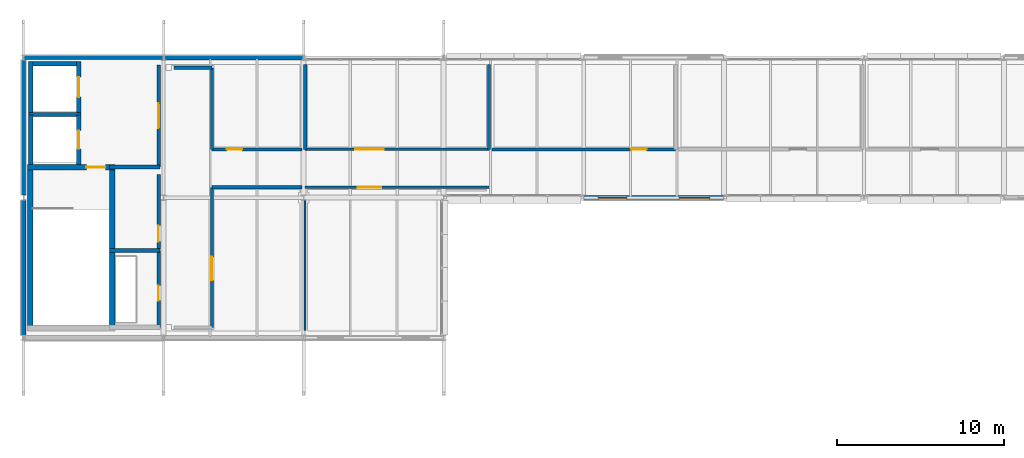
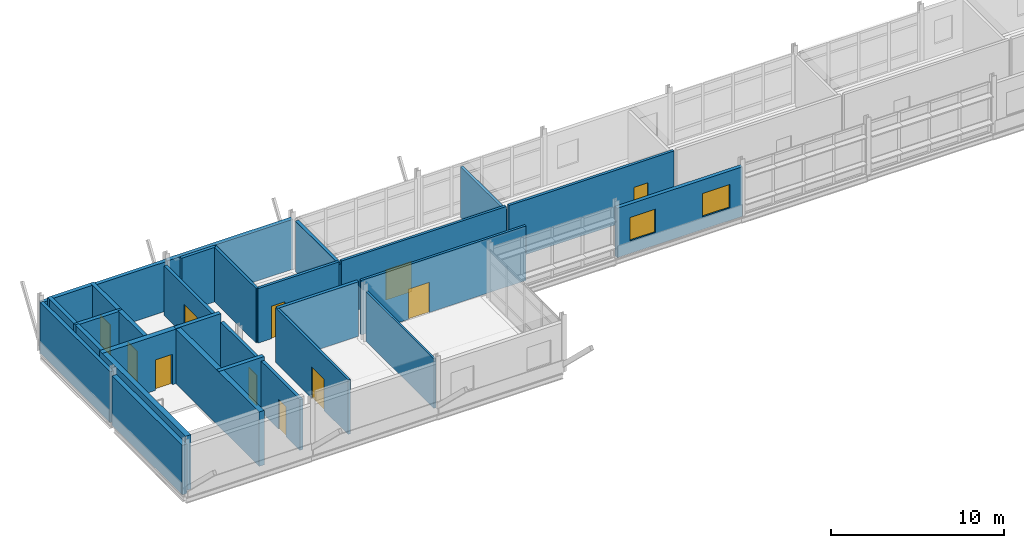
# One storey, part 47 of 57: 30 walls, 11 doors, 2 windows, 13 openings.
"""IFC4 building model written with IfcOpenShell, lengths in metres."""

import ifcopenshell
import ifcopenshell.guid

model = None  # the IFC model being written
_history = None  # IfcOwnerHistory: only IFC2X3 demands one
_inside = {}  # id of a spatial element -> (the spatial element, [elements in it])
_under = {}  # id of a project, library or spatial element -> (it, [spatial elements below it])
_declared = {}  # id of a project -> (the project, [libraries it declares])
_typed = {}  # id of a type object -> (the type object, [elements of that type])
_made_of = {}  # id of a material, layer set ... -> (it, [elements and type objects made of it])


def new_model(schema):
    """Start an empty IFC model of exactly this schema.

    Asked for "IFC4X3", IfcOpenShell would pick the latest addendum, in which some entities
    have other attributes; the version numbers below select the first issue.
    IFC2X3 requires an IfcOwnerHistory on every rooted entity: one is made here for all.
    """
    global model, _history
    if schema == "IFC4X3":
        model = ifcopenshell.file(schema_version=(4, 3, 0, 0))
    else:
        model = ifcopenshell.file(schema=schema)
    _inside.clear()
    _under.clear()
    _declared.clear()
    _typed.clear()
    _made_of.clear()
    _history = None
    if model.schema == "IFC2X3":
        org = make("IfcOrganization", Name="unknown")
        user = make(
            "IfcPersonAndOrganization",
            ThePerson=make("IfcPerson", FamilyName="unknown"),
            TheOrganization=org,
        )
        app = make(
            "IfcApplication",
            ApplicationDeveloper=org,
            Version="unknown",
            ApplicationFullName="unknown",
            ApplicationIdentifier="unknown",
        )
        _history = make(
            "IfcOwnerHistory",
            OwningUser=user,
            OwningApplication=app,
            ChangeAction="ADDED",
            CreationDate=0,
        )
    return model


def make(cls, **values):
    """One entity of the class cls with the attributes given. An attribute that is None is left unset."""
    return model.create_entity(
        cls, **{name: value for name, value in values.items() if value is not None}
    )


def rooted(cls, **values):
    """An entity with a GlobalId (a new one), such as an element, a storey or a relation."""
    return make(cls, GlobalId=ifcopenshell.guid.new(), OwnerHistory=_history, **values)


def si_unit(unit_type, name, prefix=None):
    """IfcSIUnit, for example si_unit("LENGTHUNIT", "METRE", prefix="MILLI")."""
    return make("IfcSIUnit", UnitType=unit_type, Prefix=prefix, Name=name)


def assignment(units):
    """IfcUnitAssignment: the units of a project."""
    return None if units is None else make("IfcUnitAssignment", Units=units)


def point(xyz):
    """IfcCartesianPoint."""
    return None if xyz is None else make("IfcCartesianPoint", Coordinates=xyz)


def direction(xyz):
    """IfcDirection."""
    return None if xyz is None else make("IfcDirection", DirectionRatios=xyz)


def frame(location, z_axis=None, x_axis=None):
    """IfcAxis2Placement3D, a coordinate frame: its origin and axes. An axis left out is left unset."""
    return make(
        "IfcAxis2Placement3D",
        Location=point(location),
        Axis=direction(z_axis),
        RefDirection=direction(x_axis),
    )


def frame_2d(location, x_axis=None):
    """IfcAxis2Placement2D, a coordinate frame in the plane: its origin and x axis."""
    return make(
        "IfcAxis2Placement2D", Location=point(location), RefDirection=direction(x_axis)
    )


def origin():
    """The frame at (0, 0, 0) with its axes left unset."""
    return frame((0.0, 0.0, 0.0))


def place(relative_to, where):
    """IfcLocalPlacement: puts the frame where relative to a parent placement (None: the world)."""
    return make(
        "IfcLocalPlacement", PlacementRelTo=relative_to, RelativePlacement=where
    )


def context(
    kind, dimensions, precision=None, world=None, true_north=None, identifier=None
):
    """IfcGeometricRepresentationContext, for example the 3D "Model" context."""
    return make(
        "IfcGeometricRepresentationContext",
        ContextIdentifier=identifier,
        ContextType=kind,
        CoordinateSpaceDimension=dimensions,
        Precision=precision,
        WorldCoordinateSystem=world,
        TrueNorth=true_north,
    )


def subcontext(parent, identifier, kind, view, scale=None):
    """IfcGeometricRepresentationSubContext, for example "Body" below "Model"."""
    return make(
        "IfcGeometricRepresentationSubContext",
        ContextIdentifier=identifier,
        ContextType=kind,
        ParentContext=parent,
        TargetScale=scale,
        TargetView=view,
    )


def project(units=None, contexts=None):
    """IfcProject with its units and contexts."""
    return rooted(
        "IfcProject",
        Name="project",
        RepresentationContexts=contexts,
        UnitsInContext=assignment(units),
    )


def spatial(cls, under=None, at=None, **own):
    """A site, building, storey or space (cls), placed at a placement, below another one or the project."""
    s = rooted(cls, ObjectPlacement=at, **own)
    if under is not None:
        _under.setdefault(under.id(), (under, []))[1].append(s)
    return s


def profile(cls, at=None, kind="AREA", **sizes):
    """A parametric profile (cls). Its sizes go by their IFC names, for example OverallWidth=200.0."""
    return make(cls, ProfileType=kind, Position=at, **sizes)


def rectangle(**sizes):
    """IfcRectangleProfileDef."""
    return profile("IfcRectangleProfileDef", **sizes)


def extrude(swept, where, along, depth):
    """IfcExtrudedAreaSolid: the profile swept, set in the frame where, extruded along a direction by depth."""
    return make(
        "IfcExtrudedAreaSolid",
        SweptArea=swept,
        Position=where,
        ExtrudedDirection=direction(along),
        Depth=depth,
    )


def shape(context_of_items, identifier, shape_type, items):
    """IfcShapeRepresentation: the items that make up one representation, for example the "Body"."""
    return make(
        "IfcShapeRepresentation",
        ContextOfItems=context_of_items,
        RepresentationIdentifier=identifier,
        RepresentationType=shape_type,
        Items=items,
    )


def material(Name=None, Category=None):
    """IfcMaterial."""
    return make("IfcMaterial", Name=Name, Category=Category)


def layer(
    of_material, thickness, ventilated=None, Name=None, Category=None, Priority=None
):
    """IfcMaterialLayer: one layer of a wall or slab, of a material (None: an air gap)."""
    return make(
        "IfcMaterialLayer",
        Material=of_material,
        LayerThickness=thickness,
        IsVentilated=ventilated,
        Name=Name,
        Category=Category,
        Priority=Priority,
    )


def layer_set(layers, Name=None):
    """IfcMaterialLayerSet."""
    return make("IfcMaterialLayerSet", MaterialLayers=layers, LayerSetName=Name)


def made_of(thing, what):
    """Note that an element or type object is made of a material, layer set ...; save() writes the relation."""
    if what is not None:
        _made_of.setdefault(what.id(), (what, []))[1].append(thing)
    return thing


def type_object(cls, material=None, **own):
    """A type object (cls), such as IfcWallType, which elements share."""
    return made_of(rooted(cls, **own), material)


def element(
    cls,
    number,
    at=None,
    inside=None,
    cuts=None,
    type_object=None,
    material=None,
    context=None,
    identifier="Body",
    shape_type=None,
    held_by="IfcProductDefinitionShape",
    body=None,
    shapes=None,
    **own,
):
    """One element of the class cls, such as IfcWall. Its Tag is "e" and its number.

    at: its placement. inside: the storey or other place that contains it. cuts: it is an
    opening in that element (IfcRelVoidsElement). A single representation is given by context,
    identifier, shape_type and body (its items); several are given by shapes. held_by: the class
    of the entity that holds the representations. save() writes the other relations.
    """
    e = rooted(cls, Tag="e%d" % number, ObjectPlacement=at, **own)
    if body is not None:
        shapes = [shape(context, identifier, shape_type, body)]
    if shapes is not None:
        e.Representation = make(held_by, Representations=shapes)
    if inside is not None:
        _inside.setdefault(inside.id(), (inside, []))[1].append(e)
    if cuts is not None:
        rooted(
            "IfcRelVoidsElement", RelatingBuildingElement=cuts, RelatedOpeningElement=e
        )
    if type_object is not None:
        _typed.setdefault(type_object.id(), (type_object, []))[1].append(e)
    return made_of(e, material)


def fill(opening, filler):
    """IfcRelFillsElement: the door or window that sits in an opening."""
    return rooted(
        "IfcRelFillsElement",
        RelatingOpeningElement=opening,
        RelatedBuildingElement=filler,
    )


def aggregate(whole, parts):
    """IfcRelAggregates: a whole, such as a stair, and the parts it consists of."""
    return rooted("IfcRelAggregates", RelatingObject=whole, RelatedObjects=parts)


def save(model, path):
    """Write the relations noted so far, then the file.

    IfcRelAggregates (storeys below a building ...), IfcRelContainedInSpatialStructure (elements
    in a storey), IfcRelDefinesByType, IfcRelAssociatesMaterial and IfcRelDeclares: one each for
    every whole, place, type object, material and project.
    """
    for whole, parts in _under.values():
        aggregate(whole, parts)
    for where, things in _inside.values():
        rooted(
            "IfcRelContainedInSpatialStructure",
            RelatedElements=things,
            RelatingStructure=where,
        )
    for kind, things in _typed.values():
        rooted("IfcRelDefinesByType", RelatedObjects=things, RelatingType=kind)
    for what, things in _made_of.values():
        rooted("IfcRelAssociatesMaterial", RelatedObjects=things, RelatingMaterial=what)
    for by, libraries in _declared.values():
        rooted("IfcRelDeclares", RelatingContext=by, RelatedDefinitions=libraries)
    model.write(path)


model = new_model("IFC4")

# Units and contexts
model_context = context("Model", 3, precision=1e-05, world=origin(), true_north=direction((0.0, 1.0)))
body_context = subcontext(model_context, "Body", "Model", "MODEL_VIEW")
ifc_project = project(units=[si_unit("LENGTHUNIT", "METRE"), si_unit("AREAUNIT", "SQUARE_METRE"), si_unit("VOLUMEUNIT", "CUBIC_METRE"), si_unit("PLANEANGLEUNIT", "RADIAN"), si_unit("MASSUNIT", "GRAM", prefix="KILO")], contexts=[model_context])

# Site, building, storey
site_placement = place(None, origin())
site = spatial("IfcSite", under=ifc_project, at=site_placement, CompositionType="ELEMENT")
building_placement = place(site_placement, origin())
building = spatial("IfcBuilding", under=site, at=building_placement, Name="Mersafa Astral City Hall", CompositionType="ELEMENT")
storey_placement = place(building_placement, frame((0.0, 0.0, 26.10009765625)))
storey = spatial("IfcBuildingStorey", under=building, at=storey_placement, Name="L06", CompositionType="ELEMENT", Elevation=26.10009765625)

# Walls
ifc_material_1 = material(Name="Precast concrete C40/50 insulated terracotta spandrel", Category="masonry")
ifc_layer_1 = layer(ifc_material_1, 0.235107421875, Name="Precast concrete C40/50 insulated terracotta spandrel")
ifc_layer_set_1 = layer_set([ifc_layer_1], Name="Precast concrete C40/50 insulated terracotta spandrel — ENV-WAL-EXT-235")
wall_type_1 = type_object("IfcWallType", Name="ENV-WAL-EXT-235", PredefinedType="STANDARD", material=ifc_layer_set_1)
wall_1_placement = place(storey_placement, frame((42.0, 125.85400390625, 0.0), z_axis=(0.0, 0.0, 1.0), x_axis=(0.0, -1.0, 0.0)))
element("IfcWall", 1, at=wall_1_placement, inside=storey, type_object=wall_type_1, Name="L06 Limestone-clad exterior wall 377", PredefinedType="STANDARD", context=body_context, shape_type="SweptSolid", body=[
    extrude(rectangle(XDim=8.10791015625, YDim=0.235107421875, at=frame_2d((4.053955078125, 0.0))), origin(), (0.0, 0.0, 1.0), 3.5869140625),
])
ifc_layer_2 = layer(ifc_material_1, 0.25, Name="Precast concrete C40/50 insulated terracotta spandrel")
ifc_layer_set_2 = layer_set([ifc_layer_2], Name="Precast concrete C40/50 insulated terracotta spandrel — ENV-WAL-EXT-250")
wall_type_2 = type_object("IfcWallType", Name="ENV-WAL-EXT-250", PredefinedType="STANDARD", material=ifc_layer_set_2)
wall_2_placement = place(storey_placement, frame((50.39208984375, 126.0, 0.0), z_axis=(0.0, 0.0, 1.0), x_axis=(-1.0, 0.0, 0.0)))
element("IfcWall", 2, at=wall_2_placement, inside=storey, type_object=wall_type_2, Name="L06 Limestone-clad exterior wall 376", PredefinedType="STANDARD", context=body_context, shape_type="SweptSolid", body=[
    extrude(rectangle(XDim=8.384033203125, YDim=0.25, at=frame_2d((4.19189453125, 0.0))), origin(), (0.0, 0.0, 1.0), 3.496826171875),
])

# Wall, openings, windows
wall_3_placement = place(storey_placement, frame((75.60791015625, 117.60009765625, 0.0), z_axis=(0.0, 0.0, 1.0), x_axis=(1.0, 0.0, 0.0)))
wall_3 = element("IfcWall", 3, at=wall_3_placement, inside=storey, type_object=wall_type_2, Name="L06 Limestone-clad exterior wall 382", PredefinedType="STANDARD", context=body_context, shape_type="SweptSolid", body=[
    extrude(rectangle(XDim=8.384033203125, YDim=0.25, at=frame_2d((4.19189453125, 0.0))), origin(), (0.0, 0.0, 1.0), 3.501953125),
])
opening_1_placement = place(wall_3_placement, frame((0.85009765625, 0.0, 0.89990234375)))
opening_1 = element("IfcOpeningElement", 4, at=opening_1_placement, cuts=wall_3, Name="Opening W-38", PredefinedType="OPENING", context=body_context, shape_type="SweptSolid", body=[
    extrude(rectangle(XDim=1.719970703125, YDim=1.64990234375, at=frame_2d((0.85986328125, 0.824951171875))), frame((0.0, 0.135009765625, 0.0), z_axis=(0.0, -1.0, 0.0), x_axis=(1.0, 0.0, 0.0)), (0.0, 0.0, 1.0), 0.27001953125),
])
opening_2_placement = place(wall_3_placement, frame((5.714111328125, 0.0, 0.89990234375)))
opening_2 = element("IfcOpeningElement", 5, at=opening_2_placement, cuts=wall_3, Name="Opening W-39", PredefinedType="OPENING", context=body_context, shape_type="SweptSolid", body=[
    extrude(rectangle(XDim=1.820068359375, YDim=1.64990234375, at=frame_2d((0.91015625, 0.824951171875))), frame((0.0, 0.135009765625, 0.0), z_axis=(0.0, -1.0, 0.0), x_axis=(1.0, 0.0, 0.0)), (0.0, 0.0, 1.0), 0.27001953125),
])
ifc_material_2 = material(Name="Solar control low-e double glazing in bronze frame", Category="glass")
window_type_1 = type_object("IfcWindowType", Name="ENV-WIN-W-38", PartitioningType="SINGLE_PANEL", PredefinedType="WINDOW", material=ifc_material_2)
window_1_placement = place(opening_1_placement, origin())
window_1 = element("IfcWindow", 6, at=window_1_placement, inside=storey, type_object=window_type_1, Name="L06 Solar punched window 382-L", OverallHeight=1.64990234375, OverallWidth=1.719970703125, PartitioningType="SINGLE_PANEL", PredefinedType="WINDOW", context=body_context, shape_type="SweptSolid", body=[
    extrude(rectangle(XDim=1.719970703125, YDim=1.64990234375, at=frame_2d((0.85986328125, 0.824951171875))), frame((0.0, 0.030029296875, 0.0), z_axis=(0.0, -1.0, 0.0), x_axis=(1.0, 0.0, 0.0)), (0.0, 0.0, 1.0), 0.06005859375),
])
fill(opening_1, window_1)
window_type_2 = type_object("IfcWindowType", Name="ENV-WIN-W-39", PartitioningType="SINGLE_PANEL", PredefinedType="WINDOW", material=ifc_material_2)
window_2_placement = place(opening_2_placement, origin())
window_2 = element("IfcWindow", 7, at=window_2_placement, inside=storey, type_object=window_type_2, Name="L06 Solar punched window 382-R", OverallHeight=1.64990234375, OverallWidth=1.820068359375, PartitioningType="SINGLE_PANEL", PredefinedType="WINDOW", context=body_context, shape_type="SweptSolid", body=[
    extrude(rectangle(XDim=1.820068359375, YDim=1.64990234375, at=frame_2d((0.91015625, 0.824951171875))), frame((0.0, 0.030029296875, 0.0), z_axis=(0.0, -1.0, 0.0), x_axis=(1.0, 0.0, 0.0)), (0.0, 0.0, 1.0), 0.06005859375),
])
fill(opening_2, window_2)

# Walls
ifc_material_3 = material(Name="Precast concrete C40/50 insulated limestone wall", Category="masonry")
ifc_layer_3 = layer(ifc_material_3, 0.264892578125, Name="Precast concrete C40/50 insulated limestone wall")
ifc_layer_set_3 = layer_set([ifc_layer_3], Name="Precast concrete C40/50 insulated limestone wall — ENV-WAL-EXT-265")
wall_type_3 = type_object("IfcWallType", Name="ENV-WAL-EXT-265", PredefinedType="STANDARD", material=ifc_layer_set_3)
wall_4_placement = place(storey_placement, frame((58.7919921875, 126.0, 0.0), z_axis=(0.0, 0.0, 1.0), x_axis=(-1.0, 0.0, 0.0)))
element("IfcWall", 8, at=wall_4_placement, inside=storey, type_object=wall_type_3, Name="L06 Limestone-clad exterior wall 375", PredefinedType="STANDARD", context=body_context, shape_type="SweptSolid", body=[
    extrude(rectangle(XDim=8.384033203125, YDim=0.264892578125, at=frame_2d((4.19189453125, 0.0))), origin(), (0.0, 0.0, 1.0), 3.52685546875),
])
ifc_layer_4 = layer(ifc_material_3, 0.31005859375, Name="Precast concrete C40/50 insulated limestone wall")
ifc_layer_set_4 = layer_set([ifc_layer_4], Name="Precast concrete C40/50 insulated limestone wall — ENV-WAL-EXT-310")
wall_type_4 = type_object("IfcWallType", Name="ENV-WAL-EXT-310", PredefinedType="STANDARD", material=ifc_layer_set_4)
wall_5_placement = place(storey_placement, frame((42.0, 117.4541015625, 0.0), z_axis=(0.0, 0.0, 1.0), x_axis=(0.0, -1.0, 0.0)))
element("IfcWall", 9, at=wall_5_placement, inside=storey, type_object=wall_type_4, Name="L06 Limestone-clad exterior wall 378", PredefinedType="STANDARD", context=body_context, shape_type="SweptSolid", body=[
    extrude(rectangle(XDim=8.108154296875, YDim=0.31005859375, at=frame_2d((4.05419921875, 0.0))), origin(), (0.0, 0.0, 1.0), 3.496826171875),
])
ifc_material_4 = material(Name="Concrete C40/50", Category="concrete")
ifc_layer_5 = layer(ifc_material_4, 0.260009765625, Name="Concrete C40/50")
ifc_layer_set_5 = layer_set([ifc_layer_5], Name="Concrete C40/50 — INT-WAL-CORE-260")
wall_type_5 = type_object("IfcWallType", Name="INT-WAL-CORE-260", PredefinedType="SHEAR", material=ifc_layer_set_5)
wall_6_placement = place(storey_placement, frame((42.31494140625, 122.5849609375, 0.0), z_axis=(0.0, 0.0, 1.0), x_axis=(1.0, 0.0, 0.0)))
element("IfcWall", 10, at=wall_6_placement, inside=storey, type_object=wall_type_5, Name="L06 Lift LF5 north shaft wall", PredefinedType="SHEAR", context=body_context, shape_type="SweptSolid", body=[
    extrude(rectangle(XDim=3.130126953125, YDim=0.260009765625, at=frame_2d((1.56494140625, 0.0))), origin(), (0.0, 0.0, 1.0), 3.849853515625),
])
wall_7_placement = place(storey_placement, frame((42.445068359375, 119.596923828125, 0.0), z_axis=(0.0, 0.0, 1.0), x_axis=(0.0, 1.0, 0.0)))
element("IfcWall", 11, at=wall_7_placement, inside=storey, type_object=wall_type_5, Name="L06 Lift LF5 back shaft wall", PredefinedType="SHEAR", context=body_context, shape_type="SweptSolid", body=[
    extrude(rectangle(XDim=2.947998046875, YDim=0.260009765625, at=frame_2d((1.47412109375, 0.0))), origin(), (0.0, 0.0, 1.0), 3.849853515625),
])

# Wall, opening, door
wall_8_placement = place(storey_placement, frame((45.31494140625, 119.596923828125, 0.0), z_axis=(0.0, 0.0, 1.0), x_axis=(0.0, 1.0, 0.0)))
wall_8 = element("IfcWall", 12, at=wall_8_placement, inside=storey, type_object=wall_type_5, Name="L06 Lift LF5 front shaft wall", PredefinedType="SHEAR", context=body_context, shape_type="SweptSolid", body=[
    extrude(rectangle(XDim=2.947998046875, YDim=0.260009765625, at=frame_2d((1.47412109375, 0.0))), origin(), (0.0, 0.0, 1.0), 3.849853515625),
])
opening_3_placement = place(wall_8_placement, frame((0.924072265625, 0.0, 0.0)))
opening_3 = element("IfcOpeningElement", 13, at=opening_3_placement, cuts=wall_8, Name="Opening LD-1", PredefinedType="OPENING", context=body_context, shape_type="SweptSolid", body=[
    extrude(rectangle(XDim=1.10009765625, YDim=2.14990234375, at=frame_2d((0.550048828125, 1.074951171875))), frame((0.0, 0.139892578125, 0.0), z_axis=(0.0, -1.0, 0.0), x_axis=(1.0, 0.0, 0.0)), (0.0, 0.0, 1.0), 0.280029296875),
])
ifc_material_5 = material(Name="Stainless steel sliding lift landing door", Category="steel")
door_type_1 = type_object("IfcDoorType", Name="INT-DR-LIFT-LD1", OperationType="NOTDEFINED", PredefinedType="DOOR", material=ifc_material_5)
door_1_placement = place(opening_3_placement, origin())
door_1 = element("IfcDoor", 14, at=door_1_placement, inside=storey, type_object=door_type_1, Name="Elevator LF5 Sliding Landing Door L06", OperationType="DOUBLE_DOOR_SLIDING", OverallHeight=2.14990234375, OverallWidth=1.10009765625, PredefinedType="DOOR", context=body_context, shape_type="SweptSolid", body=[
    extrude(rectangle(XDim=1.10009765625, YDim=2.14990234375, at=frame_2d((0.550048828125, 1.074951171875))), frame((0.0, 0.02490234375, 0.0), z_axis=(0.0, -1.0, 0.0), x_axis=(1.0, 0.0, 0.0)), (0.0, 0.0, 1.0), 0.050048828125),
])
fill(opening_3, door_1)

# Walls
wall_9_placement = place(storey_placement, frame((42.31494140625, 125.635009765625, 0.0), z_axis=(0.0, 0.0, 1.0), x_axis=(1.0, 0.0, 0.0)))
element("IfcWall", 15, at=wall_9_placement, inside=storey, type_object=wall_type_5, Name="L06 Lift LF9 north shaft wall", PredefinedType="SHEAR", context=body_context, shape_type="SweptSolid", body=[
    extrude(rectangle(XDim=3.130126953125, YDim=0.260009765625, at=frame_2d((1.56494140625, 0.0))), origin(), (0.0, 0.0, 1.0), 3.849853515625),
])
wall_10_placement = place(storey_placement, frame((42.445068359375, 122.705078125, 0.0), z_axis=(0.0, 0.0, 1.0), x_axis=(0.0, 1.0, 0.0)))
element("IfcWall", 16, at=wall_10_placement, inside=storey, type_object=wall_type_5, Name="L06 Lift LF9 back shaft wall", PredefinedType="SHEAR", context=body_context, shape_type="SweptSolid", body=[
    extrude(rectangle(XDim=3.059814453125, YDim=0.260009765625, at=frame_2d((1.52978515625, 0.0))), origin(), (0.0, 0.0, 1.0), 3.849853515625),
])

# Wall, opening, door
wall_11_placement = place(storey_placement, frame((45.31494140625, 122.705078125, 0.0), z_axis=(0.0, 0.0, 1.0), x_axis=(0.0, 1.0, 0.0)))
wall_11 = element("IfcWall", 17, at=wall_11_placement, inside=storey, type_object=wall_type_5, Name="L06 Lift LF9 front shaft wall", PredefinedType="SHEAR", context=body_context, shape_type="SweptSolid", body=[
    extrude(rectangle(XDim=3.059814453125, YDim=0.260009765625, at=frame_2d((1.52978515625, 0.0))), origin(), (0.0, 0.0, 1.0), 3.849853515625),
])
opening_4_placement = place(wall_11_placement, frame((0.929931640625, 0.0, 0.0)))
opening_4 = element("IfcOpeningElement", 18, at=opening_4_placement, cuts=wall_11, Name="Opening LD-2", PredefinedType="OPENING", context=body_context, shape_type="SweptSolid", body=[
    extrude(rectangle(XDim=1.199951171875, YDim=2.14990234375, at=frame_2d((0.60009765625, 1.074951171875))), frame((0.0, 0.139892578125, 0.0), z_axis=(0.0, -1.0, 0.0), x_axis=(1.0, 0.0, 0.0)), (0.0, 0.0, 1.0), 0.280029296875),
])
ifc_material_6 = material(Name="Heavy-duty sliding goods lift landing door", Category="metal")
door_type_2 = type_object("IfcDoorType", Name="INT-DR-LIFT-LD2", OperationType="NOTDEFINED", PredefinedType="DOOR", material=ifc_material_6)
door_2_placement = place(opening_4_placement, origin())
door_2 = element("IfcDoor", 19, at=door_2_placement, inside=storey, type_object=door_type_2, Name="Elevator LF9 Sliding Landing Door L06", OperationType="DOUBLE_DOOR_SLIDING", OverallHeight=2.14990234375, OverallWidth=1.199951171875, PredefinedType="DOOR", context=body_context, shape_type="SweptSolid", body=[
    extrude(rectangle(XDim=1.199951171875, YDim=2.14990234375, at=frame_2d((0.60009765625, 1.074951171875))), frame((0.0, 0.02490234375, 0.0), z_axis=(0.0, -1.0, 0.0), x_axis=(1.0, 0.0, 0.0)), (0.0, 0.0, 1.0), 0.050048828125),
])
fill(opening_4, door_2)

# Walls
for number, where, z_axis, x_axis, name in (
    (20, (47.1650390625, 114.43505859375, 0.0), (0.0, 0.0, 1.0), (1.0, 0.0, 0.0), "L06 Core K3 riser-restroom divider wall"),
    (21, (47.1650390625, 119.43505859375, 0.0), (0.0, 0.0, 1.0), (1.0, 0.0, 0.0), "L06 Core K3 restroom-lobby divider wall"),
):
    element("IfcWall", number, at=place(storey_placement, frame(where, z_axis=z_axis, x_axis=x_axis)), inside=storey, type_object=wall_type_5, Name=name, PredefinedType="SHEAR", context=body_context, shape_type="SweptSolid", body=[
        extrude(rectangle(XDim=3.034912109375, YDim=0.260009765625, at=frame_2d((1.517578125, 0.0))), origin(), (0.0, 0.0, 1.0), 3.849853515625),
    ])
ifc_layer_6 = layer(ifc_material_4, 0.340087890625, Name="Concrete C40/50")
ifc_layer_set_6 = layer_set([ifc_layer_6], Name="Concrete C40/50 — INT-WAL-CORE-340")
wall_type_6 = type_object("IfcWallType", Name="INT-WAL-CORE-340", PredefinedType="SHEAR", material=ifc_layer_set_6)
for number, where, z_axis, x_axis, name in (
    (22, (42.405029296875, 109.60498046875, 0.0), (0.0, 0.0, 1.0), (0.0, 1.0, 0.0), "L06 Core K3 stair west shear wall"),
    (23, (47.31494140625, 109.60498046875, 0.0), (0.0, 0.0, 1.0), (0.0, 1.0, 0.0), "L06 Core K3 stair east shear wall"),
):
    element("IfcWall", number, at=place(storey_placement, frame(where, z_axis=z_axis, x_axis=x_axis)), inside=storey, type_object=wall_type_6, Name=name, PredefinedType="SHEAR", context=body_context, shape_type="SweptSolid", body=[
        extrude(rectangle(XDim=9.989990234375, YDim=0.340087890625, at=frame_2d((4.9951171875, 0.0))), origin(), (0.0, 0.0, 1.0), 3.849853515625),
    ])

# Wall, opening, door
wall_12_placement = place(storey_placement, frame((42.235107421875, 119.425048828125, 0.0), z_axis=(0.0, 0.0, 1.0), x_axis=(1.0, 0.0, 0.0)))
wall_12 = element("IfcWall", 24, at=wall_12_placement, inside=storey, type_object=wall_type_6, Name="L06 Core K3 stair-lobby fire wall", PredefinedType="SHEAR", context=body_context, shape_type="SweptSolid", body=[
    extrude(rectangle(XDim=5.25, YDim=0.340087890625, at=frame_2d((2.625, 0.0))), origin(), (0.0, 0.0, 1.0), 3.849853515625),
])
opening_5_placement = place(wall_12_placement, frame((3.534912109375, 0.0, 0.0)))
opening_5 = element("IfcOpeningElement", 25, at=opening_5_placement, cuts=wall_12, Name="Opening CD-1", PredefinedType="OPENING", context=body_context, shape_type="SweptSolid", body=[
    extrude(rectangle(XDim=1.14990234375, YDim=2.14990234375, at=frame_2d((0.574951171875, 1.074951171875))), frame((0.0, 0.179931640625, 0.0), z_axis=(0.0, -1.0, 0.0), x_axis=(1.0, 0.0, 0.0)), (0.0, 0.0, 1.0), 0.360107421875),
])
ifc_material_7 = material(Name="Fire-rated steel stair door", Category="steel")
door_type_3 = type_object("IfcDoorType", Name="INT-DR-STAIR-FD90-1150", OperationType="NOTDEFINED", PredefinedType="DOOR", material=ifc_material_7)
door_3_placement = place(opening_5_placement, origin())
door_3 = element("IfcDoor", 26, at=door_3_placement, inside=storey, type_object=door_type_3, Name="L06 Protected Stair ST3 Door", OperationType="SINGLE_SWING_LEFT", OverallHeight=2.14990234375, OverallWidth=1.14990234375, PredefinedType="DOOR", context=body_context, shape_type="SweptSolid", body=[
    extrude(rectangle(XDim=1.14990234375, YDim=2.14990234375, at=frame_2d((0.574951171875, 1.074951171875))), frame((0.0, 0.02490234375, 0.0), z_axis=(0.0, -1.0, 0.0), x_axis=(1.0, 0.0, 0.0)), (0.0, 0.0, 1.0), 0.050048828125),
])
fill(opening_5, door_3)

# Wall
ifc_material_8 = material(Name="Acoustic steel-stud gypsum partition", Category="steel")
ifc_layer_7 = layer(ifc_material_8, 0.135009765625, Name="Acoustic steel-stud gypsum partition")
ifc_layer_set_7 = layer_set([ifc_layer_7], Name="Acoustic steel-stud gypsum partition — INT-WAL-PART-EI30-135")
wall_type_7 = type_object("IfcWallType", Name="INT-WAL-PART-EI30-135", PredefinedType="STANDARD", material=ifc_layer_set_7)
wall_13_placement = place(storey_placement, frame((58.889892578125, 109.6201171875, -0.004150390625), z_axis=(0.0, 0.0, 1.0), x_axis=(0.0, 1.0, 0.0)))
element("IfcWall", 27, at=wall_13_placement, inside=storey, type_object=wall_type_7, Name="L06 Interior partition wall 802", PredefinedType="STANDARD", context=body_context, shape_type="SweptSolid", body=[
    extrude(rectangle(XDim=7.864990234375, YDim=0.135009765625, at=frame_2d((3.9326171875, 0.0))), origin(), (0.0, 0.0, 1.0), 3.5009765625),
])

# Wall, opening, door
ifc_material_9 = material(Name="Fire-rated gypsum stud partition", Category="gypsum")
ifc_layer_8 = layer(ifc_material_9, 0.1650390625, Name="Fire-rated gypsum stud partition")
ifc_layer_set_8 = layer_set([ifc_layer_8], Name="Fire-rated gypsum stud partition — INT-WAL-PART-EI60-165")
wall_type_8 = type_object("IfcWallType", Name="INT-WAL-PART-EI60-165", PredefinedType="STANDARD", material=ifc_layer_set_8)
wall_14_placement = place(storey_placement, frame((58.889892578125, 118.219970703125, -0.004150390625), z_axis=(0.0, 0.0, 1.0), x_axis=(1.0, 0.0, 0.0)))
wall_14 = element("IfcWall", 28, at=wall_14_placement, inside=storey, type_object=wall_type_8, Name="L06 Interior partition wall 803", PredefinedType="STANDARD", context=body_context, shape_type="SweptSolid", body=[
    extrude(rectangle(XDim=11.02001953125, YDim=0.1650390625, at=frame_2d((5.510009765625, 0.0))), origin(), (0.0, 0.0, 1.0), 3.85400390625),
])
opening_6_placement = place(wall_14_placement, frame((3.156982421875, 0.0, 0.0)))
opening_6 = element("IfcOpeningElement", 29, at=opening_6_placement, cuts=wall_14, Name="Opening D-16", PredefinedType="OPENING", context=body_context, shape_type="SweptSolid", body=[
    extrude(rectangle(XDim=1.39990234375, YDim=2.139892578125, at=frame_2d((0.699951171875, 1.06982421875))), frame((0.0, 0.092529296875, 0.0), z_axis=(0.0, -1.0, 0.0), x_axis=(1.0, 0.0, 0.0)), (0.0, 0.0, 1.0), 0.18505859375),
])
ifc_material_10 = material(Name="Cedar veneered acoustic fire-rated timber door", Category="wood")
door_type_4 = type_object("IfcDoorType", Name="INT-DR-RM-D-16", OperationType="NOTDEFINED", PredefinedType="DOOR", material=ifc_material_10)
door_4_placement = place(opening_6_placement, origin())
door_4 = element("IfcDoor", 30, at=door_4_placement, inside=storey, type_object=door_type_4, Name="L06 Mayoral Suite L06-01 Entrance Door", OperationType="SINGLE_SWING_RIGHT", OverallHeight=2.139892578125, OverallWidth=1.39990234375, PredefinedType="DOOR", context=body_context, shape_type="SweptSolid", body=[
    extrude(rectangle(XDim=1.39990234375, YDim=2.139892578125, at=frame_2d((0.699951171875, 1.06982421875))), frame((0.0, 0.02490234375, 0.0), z_axis=(0.0, -1.0, 0.0), x_axis=(1.0, 0.0, 0.0)), (0.0, 0.0, 1.0), 0.050048828125),
])
fill(opening_6, door_4)

wall_15_placement = place(storey_placement, frame((69.909912109375, 120.5, -0.004150390625), z_axis=(0.0, 0.0, 1.0), x_axis=(-1.0, 0.0, 0.0)))
wall_15 = element("IfcWall", 31, at=wall_15_placement, inside=storey, type_object=wall_type_8, Name="L06 Interior partition wall 815", PredefinedType="STANDARD", context=body_context, shape_type="SweptSolid", body=[
    extrude(rectangle(XDim=11.02001953125, YDim=0.1650390625, at=frame_2d((5.510009765625, 0.0))), origin(), (0.0, 0.0, 1.0), 3.85400390625),
])
opening_7_placement = place(wall_15_placement, frame((6.302978515625, 0.0, 0.0)))
opening_7 = element("IfcOpeningElement", 32, at=opening_7_placement, cuts=wall_15, Name="Opening D-18", PredefinedType="OPENING", context=body_context, shape_type="SweptSolid", body=[
    extrude(rectangle(XDim=1.719970703125, YDim=2.139892578125, at=frame_2d((0.85986328125, 1.06982421875))), frame((0.0, 0.092529296875, 0.0), z_axis=(0.0, -1.0, 0.0), x_axis=(1.0, 0.0, 0.0)), (0.0, 0.0, 1.0), 0.18505859375),
])
door_type_5 = type_object("IfcDoorType", Name="INT-DR-RM-D-18", OperationType="NOTDEFINED", PredefinedType="DOOR", material=ifc_material_10)
door_5_placement = place(opening_7_placement, origin())
door_5 = element("IfcDoor", 33, at=door_5_placement, inside=storey, type_object=door_type_5, Name="L06 Municipal Cabinet Meeting Room L06-03 Entrance Door", OperationType="SINGLE_SWING_RIGHT", OverallHeight=2.139892578125, OverallWidth=1.719970703125, PredefinedType="DOOR", context=body_context, shape_type="SweptSolid", body=[
    extrude(rectangle(XDim=1.719970703125, YDim=2.139892578125, at=frame_2d((0.85986328125, 1.06982421875))), frame((0.0, 0.02490234375, 0.0), z_axis=(0.0, -1.0, 0.0), x_axis=(1.0, 0.0, 0.0)), (0.0, 0.0, 1.0), 0.050048828125),
])
fill(opening_7, door_5)

wall_16_placement = place(storey_placement, frame((53.300048828125, 109.820068359375, -0.004150390625), z_axis=(0.0, 0.0, 1.0), x_axis=(0.0, 1.0, 0.0)))
wall_16 = element("IfcWall", 34, at=wall_16_placement, inside=storey, type_object=wall_type_8, Name="L06 Interior partition wall 831", PredefinedType="STANDARD", context=body_context, shape_type="SweptSolid", body=[
    extrude(rectangle(XDim=8.39990234375, YDim=0.1650390625, at=frame_2d((4.199951171875, 0.0))), origin(), (0.0, 0.0, 1.0), 3.85400390625),
])
opening_8_placement = place(wall_16_placement, frame((2.827880859375, 0.0, 0.0)))
opening_8 = element("IfcOpeningElement", 35, at=opening_8_placement, cuts=wall_16, Name="Opening D-25", PredefinedType="OPENING", context=body_context, shape_type="SweptSolid", body=[
    extrude(rectangle(XDim=1.39990234375, YDim=2.219970703125, at=frame_2d((0.699951171875, 1.10986328125))), frame((0.0, 0.092529296875, 0.0), z_axis=(0.0, -1.0, 0.0), x_axis=(1.0, 0.0, 0.0)), (0.0, 0.0, 1.0), 0.18505859375),
])
door_type_6 = type_object("IfcDoorType", Name="INT-DR-RM-D-25", OperationType="NOTDEFINED", PredefinedType="DOOR", material=ifc_material_10)
door_6_placement = place(opening_8_placement, origin())
door_6 = element("IfcDoor", 36, at=door_6_placement, inside=storey, type_object=door_type_6, Name="L06 Municipal Cabinet Meeting Room L06-10 Entrance Door", OperationType="SINGLE_SWING_LEFT", OverallHeight=2.219970703125, OverallWidth=1.39990234375, PredefinedType="DOOR", context=body_context, shape_type="SweptSolid", body=[
    extrude(rectangle(XDim=1.39990234375, YDim=2.219970703125, at=frame_2d((0.699951171875, 1.10986328125))), frame((0.0, 0.02490234375, 0.0), z_axis=(0.0, -1.0, 0.0), x_axis=(1.0, 0.0, 0.0)), (0.0, 0.0, 1.0), 0.050048828125),
])
fill(opening_8, door_6)

# Walls
wall_17_placement = place(storey_placement, frame((53.300048828125, 120.5, -0.004150390625), z_axis=(0.0, 0.0, 1.0), x_axis=(0.0, 1.0, 0.0)))
element("IfcWall", 37, at=wall_17_placement, inside=storey, type_object=wall_type_8, Name="L06 Interior partition wall 843", PredefinedType="STANDARD", context=body_context, shape_type="SweptSolid", body=[
    extrude(rectangle(XDim=4.8798828125, YDim=0.1650390625, at=frame_2d((2.43994140625, 0.0))), origin(), (0.0, 0.0, 1.0), 3.85400390625),
])
ifc_material_11 = material(Name="Acoustic twin-stud gypsum partition", Category="gypsum")
ifc_layer_9 = layer(ifc_material_11, 0.179931640625, Name="Acoustic twin-stud gypsum partition")
ifc_layer_set_9 = layer_set([ifc_layer_9], Name="Acoustic twin-stud gypsum partition — INT-WAL-PART-EI60-180")
wall_type_9 = type_object("IfcWallType", Name="INT-WAL-PART-EI60-180", PredefinedType="STANDARD", material=ifc_layer_set_9)
wall_18_placement = place(storey_placement, frame((69.909912109375, 125.580078125, -0.004150390625), z_axis=(0.0, 0.0, 1.0), x_axis=(0.0, -1.0, 0.0)))
element("IfcWall", 38, at=wall_18_placement, inside=storey, type_object=wall_type_9, Name="L06 Interior partition wall 814", PredefinedType="STANDARD", context=body_context, shape_type="SweptSolid", body=[
    extrude(rectangle(XDim=5.080078125, YDim=0.179931640625, at=frame_2d((2.5400390625, 0.0))), origin(), (0.0, 0.0, 1.0), 3.566162109375),
])

# Wall, opening, door
wall_19_placement = place(storey_placement, frame((81.110107421875, 120.5, -0.004150390625), z_axis=(0.0, 0.0, 1.0), x_axis=(-1.0, 0.0, 0.0)))
wall_19 = element("IfcWall", 39, at=wall_19_placement, inside=storey, type_object=wall_type_9, Name="L06 Interior partition wall 818", PredefinedType="STANDARD", context=body_context, shape_type="SweptSolid", body=[
    extrude(rectangle(XDim=11.02001953125, YDim=0.179931640625, at=frame_2d((5.510009765625, 0.0))), origin(), (0.0, 0.0, 1.0), 3.85400390625),
])
opening_9_placement = place(wall_19_placement, frame((1.743896484375, 0.0, 0.0)))
opening_9 = element("IfcOpeningElement", 40, at=opening_9_placement, cuts=wall_19, Name="Opening D-19", PredefinedType="OPENING", context=body_context, shape_type="SweptSolid", body=[
    extrude(rectangle(XDim=0.919921875, YDim=2.219970703125, at=frame_2d((0.4599609375, 1.10986328125))), frame((0.0, 0.099853515625, 0.0), z_axis=(0.0, -1.0, 0.0), x_axis=(1.0, 0.0, 0.0)), (0.0, 0.0, 1.0), 0.199951171875),
])
door_type_7 = type_object("IfcDoorType", Name="INT-DR-RM-D-19", OperationType="NOTDEFINED", PredefinedType="DOOR", material=ifc_material_10)
door_7_placement = place(opening_9_placement, origin())
door_7 = element("IfcDoor", 41, at=door_7_placement, inside=storey, type_object=door_type_7, Name="L06 Executive Briefing Room L06-04 Entrance Door", OperationType="SINGLE_SWING_LEFT", OverallHeight=2.219970703125, OverallWidth=0.919921875, PredefinedType="DOOR", context=body_context, shape_type="SweptSolid", body=[
    extrude(rectangle(XDim=0.919921875, YDim=2.219970703125, at=frame_2d((0.4599609375, 1.10986328125))), frame((0.0, 0.02490234375, 0.0), z_axis=(0.0, -1.0, 0.0), x_axis=(1.0, 0.0, 0.0)), (0.0, 0.0, 1.0), 0.050048828125),
])
fill(opening_9, door_7)

wall_20_placement = place(storey_placement, frame((58.7099609375, 120.5, -0.004150390625), z_axis=(0.0, 0.0, 1.0), x_axis=(-1.0, 0.0, 0.0)))
wall_20 = element("IfcWall", 42, at=wall_20_placement, inside=storey, type_object=wall_type_9, Name="L06 Interior partition wall 842", PredefinedType="STANDARD", context=body_context, shape_type="SweptSolid", body=[
    extrude(rectangle(XDim=5.409912109375, YDim=0.179931640625, at=frame_2d((2.705078125, 0.0))), origin(), (0.0, 0.0, 1.0), 3.85400390625),
])
opening_10_placement = place(wall_20_placement, frame((3.597412109375, 0.0, 0.0)))
opening_10 = element("IfcOpeningElement", 43, at=opening_10_placement, cuts=wall_20, Name="Opening D-28", PredefinedType="OPENING", context=body_context, shape_type="SweptSolid", body=[
    extrude(rectangle(XDim=0.919921875, YDim=2.300048828125, at=frame_2d((0.4599609375, 1.14990234375))), frame((0.0, 0.099853515625, 0.0), z_axis=(0.0, -1.0, 0.0), x_axis=(1.0, 0.0, 0.0)), (0.0, 0.0, 1.0), 0.199951171875),
])
door_type_8 = type_object("IfcDoorType", Name="INT-DR-RM-D-28", OperationType="NOTDEFINED", PredefinedType="DOOR", material=ifc_material_10)
door_8_placement = place(opening_10_placement, origin())
door_8 = element("IfcDoor", 44, at=door_8_placement, inside=storey, type_object=door_type_8, Name="L06 Chief Of Staff Office L06-13 Entrance Door", OperationType="SINGLE_SWING_RIGHT", OverallHeight=2.300048828125, OverallWidth=0.919921875, PredefinedType="DOOR", context=body_context, shape_type="SweptSolid", body=[
    extrude(rectangle(XDim=0.919921875, YDim=2.300048828125, at=frame_2d((0.4599609375, 1.14990234375))), frame((0.0, 0.02490234375, 0.0), z_axis=(0.0, -1.0, 0.0), x_axis=(1.0, 0.0, 0.0)), (0.0, 0.0, 1.0), 0.050048828125),
])
fill(opening_10, door_8)

ifc_material_12 = material(Name="Autoclaved aerated concrete blockwork plastered", Category="masonry")
ifc_layer_10 = layer(ifc_material_12, 0.2099609375, Name="Autoclaved aerated concrete blockwork plastered")
ifc_layer_set_10 = layer_set([ifc_layer_10], Name="Autoclaved aerated concrete blockwork plastered — INT-WAL-PART-EI60-210")
wall_type_10 = type_object("IfcWallType", Name="INT-WAL-PART-EI60-210", PredefinedType="STANDARD", material=ifc_layer_set_10)
wall_21_placement = place(storey_placement, frame((50.10009765625, 109.820068359375, 0.0), z_axis=(0.0, 0.0, 1.0), x_axis=(0.0, 1.0, 0.0)))
wall_21 = element("IfcWall", 45, at=wall_21_placement, inside=storey, type_object=wall_type_10, Name="L06 Core K3 riser corridor partition", PredefinedType="STANDARD", context=body_context, shape_type="SweptSolid", body=[
    extrude(rectangle(XDim=4.58984375, YDim=0.2099609375, at=frame_2d((2.294921875, 0.0))), origin(), (0.0, 0.0, 1.0), 3.5869140625),
])
opening_11_placement = place(wall_21_placement, frame((1.60009765625, 0.0, 0.0)))
opening_11 = element("IfcOpeningElement", 46, at=opening_11_placement, cuts=wall_21, Name="Opening CD-5", PredefinedType="OPENING", context=body_context, shape_type="SweptSolid", body=[
    extrude(rectangle(XDim=0.89990234375, YDim=2.10009765625, at=frame_2d((0.449951171875, 1.050048828125))), frame((0.0, 0.114990234375, 0.0), z_axis=(0.0, -1.0, 0.0), x_axis=(1.0, 0.0, 0.0)), (0.0, 0.0, 1.0), 0.22998046875),
])
ifc_material_13 = material(Name="Fire-rated steel riser access door", Category="steel")
door_type_9 = type_object("IfcDoorType", Name="INT-DR-RISER-FD60-900", OperationType="NOTDEFINED", PredefinedType="DOOR", material=ifc_material_13)
door_9_placement = place(opening_11_placement, origin())
door_9 = element("IfcDoor", 47, at=door_9_placement, inside=storey, type_object=door_type_9, Name="L06 K3 MEP Riser Access Door", OperationType="SINGLE_SWING_RIGHT", OverallHeight=2.10009765625, OverallWidth=0.89990234375, PredefinedType="DOOR", context=body_context, shape_type="SweptSolid", body=[
    extrude(rectangle(XDim=0.89990234375, YDim=2.10009765625, at=frame_2d((0.449951171875, 1.050048828125))), frame((0.0, 0.02490234375, 0.0), z_axis=(0.0, -1.0, 0.0), x_axis=(1.0, 0.0, 0.0)), (0.0, 0.0, 1.0), 0.050048828125),
])
fill(opening_11, door_9)

wall_22_placement = place(storey_placement, frame((50.10009765625, 114.52001953125, 0.0), z_axis=(0.0, 0.0, 1.0), x_axis=(0.0, 1.0, 0.0)))
wall_22 = element("IfcWall", 48, at=wall_22_placement, inside=storey, type_object=wall_type_10, Name="L06 Core K3 accessible WC corridor partition", PredefinedType="STANDARD", context=body_context, shape_type="SweptSolid", body=[
    extrude(rectangle(XDim=4.47998046875, YDim=0.2099609375, at=frame_2d((2.239990234375, 0.0))), origin(), (0.0, 0.0, 1.0), 3.496826171875),
])
opening_12_placement = place(wall_22_placement, frame((0.449951171875, 0.0, 0.0)))
opening_12 = element("IfcOpeningElement", 49, at=opening_12_placement, cuts=wall_22, Name="Opening CD-4", PredefinedType="OPENING", context=body_context, shape_type="SweptSolid", body=[
    extrude(rectangle(XDim=0.949951171875, YDim=2.14990234375, at=frame_2d((0.47509765625, 1.074951171875))), frame((0.0, 0.114990234375, 0.0), z_axis=(0.0, -1.0, 0.0), x_axis=(1.0, 0.0, 0.0)), (0.0, 0.0, 1.0), 0.22998046875),
])
ifc_material_14 = material(Name="Accessible timber acoustic WC door", Category="wood")
door_type_10 = type_object("IfcDoorType", Name="INT-DR-WC-FD30-950", OperationType="NOTDEFINED", PredefinedType="DOOR", material=ifc_material_14)
door_10_placement = place(opening_12_placement, origin())
door_10 = element("IfcDoor", 50, at=door_10_placement, inside=storey, type_object=door_type_10, Name="L06 K3 Accessible Restroom Door", OperationType="SINGLE_SWING_LEFT", OverallHeight=2.14990234375, OverallWidth=0.949951171875, PredefinedType="DOOR", context=body_context, shape_type="SweptSolid", body=[
    extrude(rectangle(XDim=0.949951171875, YDim=2.14990234375, at=frame_2d((0.47509765625, 1.074951171875))), frame((0.0, 0.02490234375, 0.0), z_axis=(0.0, -1.0, 0.0), x_axis=(1.0, 0.0, 0.0)), (0.0, 0.0, 1.0), 0.050048828125),
])
fill(opening_12, door_10)

wall_23_placement = place(storey_placement, frame((50.10009765625, 119.43994140625, 0.0), z_axis=(0.0, 0.0, 1.0), x_axis=(0.0, 1.0, 0.0)))
wall_23 = element("IfcWall", 51, at=wall_23_placement, inside=storey, type_object=wall_type_10, Name="L06 Core K3 lobby corridor partition", PredefinedType="STANDARD", context=body_context, shape_type="SweptSolid", body=[
    extrude(rectangle(XDim=6.1201171875, YDim=0.2099609375, at=frame_2d((3.06005859375, 0.0))), origin(), (0.0, 0.0, 1.0), 3.496826171875),
])
opening_13_placement = place(wall_23_placement, frame((2.31005859375, 0.0, 0.0)))
opening_13 = element("IfcOpeningElement", 52, at=opening_13_placement, cuts=wall_23, Name="Opening CD-3", PredefinedType="OPENING", context=body_context, shape_type="SweptSolid", body=[
    extrude(rectangle(XDim=1.5, YDim=2.199951171875, at=frame_2d((0.75, 1.10009765625))), frame((0.0, 0.114990234375, 0.0), z_axis=(0.0, -1.0, 0.0), x_axis=(1.0, 0.0, 0.0)), (0.0, 0.0, 1.0), 0.22998046875),
])
ifc_material_15 = material(Name="Fire-rated glazed lobby door pair", Category="metal")
door_type_11 = type_object("IfcDoorType", Name="INT-DR-LOBBY-FD90-1500", OperationType="NOTDEFINED", PredefinedType="DOOR", material=ifc_material_15)
door_11_placement = place(opening_13_placement, origin())
door_11 = element("IfcDoor", 53, at=door_11_placement, inside=storey, type_object=door_type_11, Name="L06 K3 Lift Lobby Fire Door", OperationType="DOUBLE_DOOR_SINGLE_SWING", OverallHeight=2.199951171875, OverallWidth=1.5, PredefinedType="DOOR", context=body_context, shape_type="SweptSolid", body=[
    extrude(rectangle(XDim=1.5, YDim=2.199951171875, at=frame_2d((0.75, 1.10009765625))), frame((0.0, 0.02490234375, 0.0), z_axis=(0.0, -1.0, 0.0), x_axis=(1.0, 0.0, 0.0)), (0.0, 0.0, 1.0), 0.050048828125),
])
fill(opening_13, door_11)

# Walls
wall_24_placement = place(storey_placement, frame((58.889892578125, 120.5, -0.004150390625), z_axis=(0.0, 0.0, 1.0), x_axis=(0.0, 1.0, 0.0)))
element("IfcWall", 54, at=wall_24_placement, inside=storey, type_object=wall_type_10, Name="L06 Interior partition wall 816", PredefinedType="STANDARD", context=body_context, shape_type="SweptSolid", body=[
    extrude(rectangle(XDim=5.080078125, YDim=0.2099609375, at=frame_2d((2.5400390625, 0.0))), origin(), (0.0, 0.0, 1.0), 3.591064453125),
])
wall_25_placement = place(storey_placement, frame((53.300048828125, 118.219970703125, -0.004150390625), z_axis=(0.0, 0.0, 1.0), x_axis=(1.0, 0.0, 0.0)))
element("IfcWall", 55, at=wall_25_placement, inside=storey, type_object=wall_type_10, Name="L06 Interior partition wall 832", PredefinedType="STANDARD", context=body_context, shape_type="SweptSolid", body=[
    extrude(rectangle(XDim=5.409912109375, YDim=0.2099609375, at=frame_2d((2.705078125, 0.0))), origin(), (0.0, 0.0, 1.0), 3.85400390625),
])
wall_26_placement = place(storey_placement, frame((53.300048828125, 125.3798828125, -0.004150390625), z_axis=(0.0, 0.0, 1.0), x_axis=(-1.0, 0.0, 0.0)))
element("IfcWall", 56, at=wall_26_placement, inside=storey, type_object=wall_type_10, Name="L06 Interior partition wall 844", PredefinedType="STANDARD", context=body_context, shape_type="SweptSolid", body=[
    extrude(rectangle(XDim=2.280029296875, YDim=0.2099609375, at=frame_2d((1.14013671875, 0.0))), origin(), (0.0, 0.0, 1.0), 3.85400390625),
])

save(model, "model.ifc")
